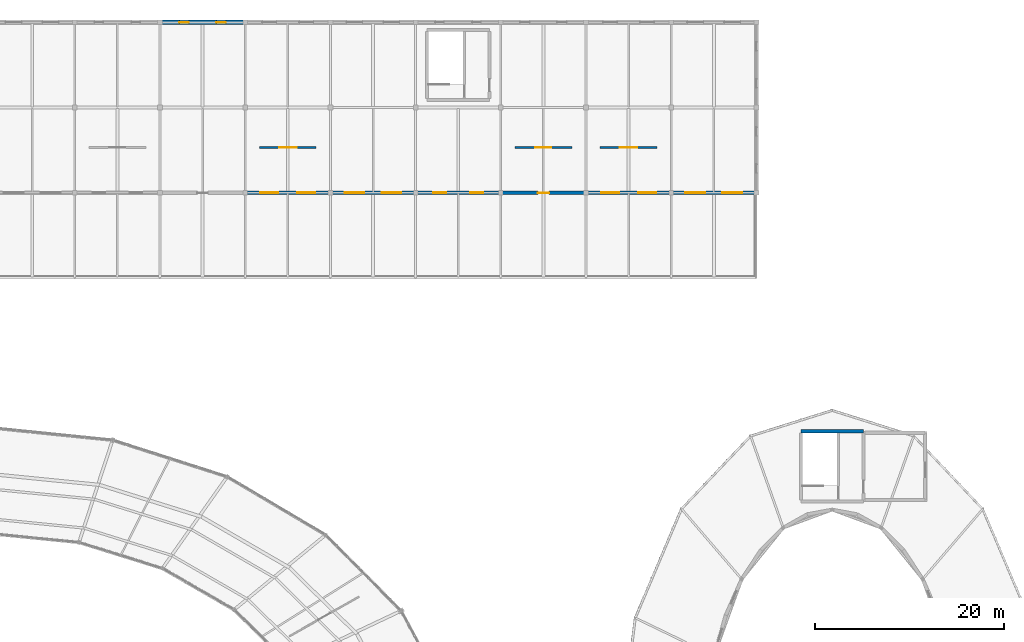
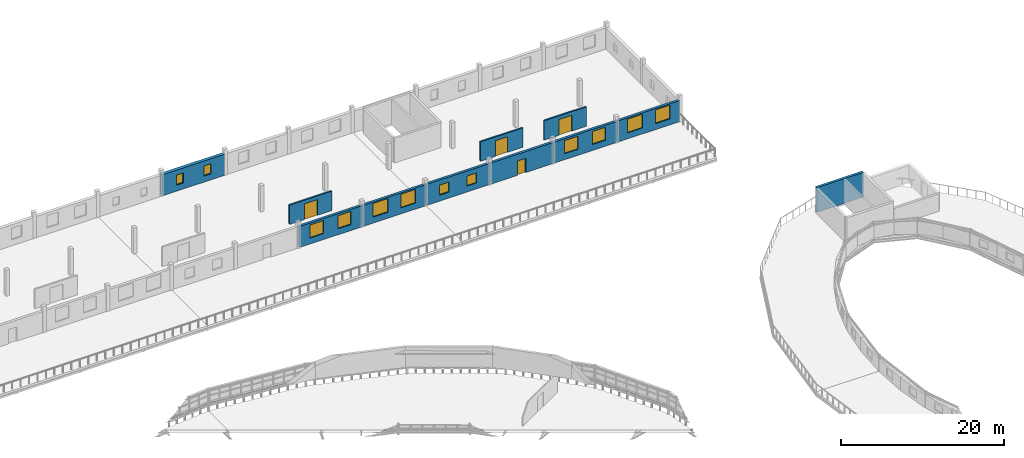
# One storey, part 111 of 123: 12 windows, 11 walls, 4 doors, 16 openings.
"""IFC4 building model written with IfcOpenShell, lengths in metres."""

from ifc_helpers import new_model, si_unit, direction, frame, frame_2d, origin, place, context, subcontext, project, spatial, rectangle, extrude, material, layer, layer_set, type_object, element, fill, save


model = new_model("IFC4")

# Units and contexts
model_context = context("Model", 3, precision=1e-05, world=origin(), true_north=direction((0.0, 1.0)))
body_context = subcontext(model_context, "Body", "Model", "MODEL_VIEW")
ifc_project = project(units=[si_unit("LENGTHUNIT", "METRE"), si_unit("AREAUNIT", "SQUARE_METRE"), si_unit("VOLUMEUNIT", "CUBIC_METRE"), si_unit("PLANEANGLEUNIT", "RADIAN"), si_unit("MASSUNIT", "GRAM", prefix="KILO")], contexts=[model_context])

# Site, building, storey
site_placement = place(None, origin())
site = spatial("IfcSite", under=ifc_project, at=site_placement, CompositionType="ELEMENT")
building_placement = place(site_placement, origin())
building = spatial("IfcBuilding", under=site, at=building_placement, Name="Kildeholm Park Wholesale Market", CompositionType="ELEMENT")
storey_placement = place(building_placement, frame((0.0, 0.0, 9.60009765625)))
storey = spatial("IfcBuildingStorey", under=building, at=storey_placement, Name="L02", CompositionType="ELEMENT", Elevation=9.60009765625)

# Wall, openings, windows
ifc_material_1 = material(Name="Precast concrete C40/50 ripening envelope wall", Category="concrete")
ifc_layer_1 = layer(ifc_material_1, 0.449951171875)
ifc_layer_set_1 = layer_set([ifc_layer_1], Name="Precast concrete C40/50 ripening envelope wall")
wall_type_1 = type_object("IfcWallType", Name="Exterior wall W-CS3 450 mm", PredefinedType="SOLIDWALL", material=ifc_layer_set_1)
wall_1_placement = place(storey_placement, frame((117.06005859375, 171.0, 0.0), z_axis=(0.0, 0.0, 1.0), x_axis=(1.0, 0.0, 0.0)))
wall_1 = element("IfcWall", 1, at=wall_1_placement, inside=storey, type_object=wall_type_1, Name="Exterior wall V4N-L02.14 WL-0370", PredefinedType="SOLIDWALL", context=body_context, shape_type="SweptSolid", body=[
    extrude(rectangle(XDim=8.8798828125, YDim=0.449951171875, at=frame_2d((4.43994140625, 0.0))), origin(), (0.0, 0.0, 1.0), 3.14990234375),
])
opening_1_placement = place(wall_1_placement, frame((1.986083984375, 0.0, 0.89990234375)))
opening_1 = element("IfcOpeningElement", 2, at=opening_1_placement, cuts=wall_1, Name="Opening WN-09", PredefinedType="OPENING", context=body_context, shape_type="SweptSolid", body=[
    extrude(rectangle(XDim=1.0, YDim=1.5, at=frame_2d((0.5, 0.75))), frame((0.0, 0.23486328125, 0.0), z_axis=(0.0, -1.0, 0.0), x_axis=(1.0, 0.0, 0.0)), (0.0, 0.0, 1.0), 0.469970703125),
])
opening_2_placement = place(wall_1_placement, frame((5.89404296875, 0.0, 0.89990234375)))
opening_2 = element("IfcOpeningElement", 3, at=opening_2_placement, cuts=wall_1, Name="Opening WN-09", PredefinedType="OPENING", context=body_context, shape_type="SweptSolid", body=[
    extrude(rectangle(XDim=1.0, YDim=1.5, at=frame_2d((0.5, 0.75))), frame((0.0, 0.23486328125, 0.0), z_axis=(0.0, -1.0, 0.0), x_axis=(1.0, 0.0, 0.0)), (0.0, 0.0, 1.0), 0.469970703125),
])
ifc_material_2 = material(Name="Thermally broken aluminium and triple-glazed low-E glass", Category="aluminium")
window_type_1 = type_object("IfcWindowType", Name="Window WN-09 1000x1500", PartitioningType="SINGLE_PANEL", PredefinedType="WINDOW", material=ifc_material_2)
window_1_placement = place(opening_1_placement, origin())
window_1 = element("IfcWindow", 4, at=window_1_placement, inside=storey, type_object=window_type_1, Name="Window V4N-L02.14.1 WIN-0167", OverallHeight=1.5, OverallWidth=1.0, PartitioningType="SINGLE_PANEL", PredefinedType="WINDOW", context=body_context, shape_type="SweptSolid", body=[
    extrude(rectangle(XDim=1.0, YDim=1.5, at=frame_2d((0.5, 0.75))), frame((0.0, 0.030029296875, 0.0), z_axis=(0.0, -1.0, 0.0), x_axis=(1.0, 0.0, 0.0)), (0.0, 0.0, 1.0), 0.06005859375),
])
fill(opening_1, window_1)
window_2_placement = place(opening_2_placement, origin())
window_2 = element("IfcWindow", 5, at=window_2_placement, inside=storey, type_object=window_type_1, Name="Window V4N-L02.14.2 WIN-0168", OverallHeight=1.5, OverallWidth=1.0, PartitioningType="SINGLE_PANEL", PredefinedType="WINDOW", context=body_context, shape_type="SweptSolid", body=[
    extrude(rectangle(XDim=1.0, YDim=1.5, at=frame_2d((0.5, 0.75))), frame((0.0, 0.030029296875, 0.0), z_axis=(0.0, -1.0, 0.0), x_axis=(1.0, 0.0, 0.0)), (0.0, 0.0, 1.0), 0.06005859375),
])
fill(opening_2, window_2)

ifc_material_3 = material(Name="Precast concrete C40/50 architectural rainscreen wall", Category="concrete")
ifc_layer_2 = layer(ifc_material_3, 0.340087890625)
ifc_layer_set_2 = layer_set([ifc_layer_2], Name="Precast concrete C40/50 architectural rainscreen wall")
wall_type_2 = type_object("IfcWallType", Name="Exterior wall W-EX4 340 mm", PredefinedType="SOLIDWALL", material=ifc_layer_set_2)
wall_2_placement = place(storey_placement, frame((126.06005859375, 153.0, 0.0), z_axis=(0.0, 0.0, 1.0), x_axis=(1.0, 0.0, 0.0)))
wall_2 = element("IfcWall", 6, at=wall_2_placement, inside=storey, type_object=wall_type_2, Name="Exterior wall V4S-L02.11 WL-0479", PredefinedType="SOLIDWALL", context=body_context, shape_type="SweptSolid", body=[
    extrude(rectangle(XDim=8.8798828125, YDim=0.340087890625, at=frame_2d((4.43994140625, 0.0))), origin(), (0.0, 0.0, 1.0), 3.14990234375),
])
opening_3_placement = place(wall_2_placement, frame((1.5458984375, 0.0, 0.89990234375)))
opening_3 = element("IfcOpeningElement", 7, at=opening_3_placement, cuts=wall_2, Name="Opening WN-39", PredefinedType="OPENING", context=body_context, shape_type="SweptSolid", body=[
    extrude(rectangle(XDim=1.8798828125, YDim=1.949951171875, at=frame_2d((0.93994140625, 0.97509765625))), frame((0.0, 0.179931640625, 0.0), z_axis=(0.0, -1.0, 0.0), x_axis=(1.0, 0.0, 0.0)), (0.0, 0.0, 1.0), 0.360107421875),
])
opening_4_placement = place(wall_2_placement, frame((5.4541015625, 0.0, 0.89990234375)))
opening_4 = element("IfcOpeningElement", 8, at=opening_4_placement, cuts=wall_2, Name="Opening WN-39", PredefinedType="OPENING", context=body_context, shape_type="SweptSolid", body=[
    extrude(rectangle(XDim=1.8798828125, YDim=1.949951171875, at=frame_2d((0.93994140625, 0.97509765625))), frame((0.0, 0.179931640625, 0.0), z_axis=(0.0, -1.0, 0.0), x_axis=(1.0, 0.0, 0.0)), (0.0, 0.0, 1.0), 0.360107421875),
])
window_type_2 = type_object("IfcWindowType", Name="Window WN-39 1880x1950", PartitioningType="DOUBLE_PANEL_VERTICAL", PredefinedType="WINDOW", material=ifc_material_2)
window_3_placement = place(opening_3_placement, origin())
window_3 = element("IfcWindow", 9, at=window_3_placement, inside=storey, type_object=window_type_2, Name="Window V4S-L02.11.1 WIN-0279", OverallHeight=1.949951171875, OverallWidth=1.8798828125, PartitioningType="SINGLE_PANEL", PredefinedType="WINDOW", context=body_context, shape_type="SweptSolid", body=[
    extrude(rectangle(XDim=1.8798828125, YDim=1.949951171875, at=frame_2d((0.93994140625, 0.97509765625))), frame((0.0, 0.030029296875, 0.0), z_axis=(0.0, -1.0, 0.0), x_axis=(1.0, 0.0, 0.0)), (0.0, 0.0, 1.0), 0.06005859375),
])
fill(opening_3, window_3)
window_4_placement = place(opening_4_placement, origin())
window_4 = element("IfcWindow", 10, at=window_4_placement, inside=storey, type_object=window_type_2, Name="Window V4S-L02.11.2 WIN-0280", OverallHeight=1.949951171875, OverallWidth=1.8798828125, PartitioningType="SINGLE_PANEL", PredefinedType="WINDOW", context=body_context, shape_type="SweptSolid", body=[
    extrude(rectangle(XDim=1.8798828125, YDim=1.949951171875, at=frame_2d((0.93994140625, 0.97509765625))), frame((0.0, 0.030029296875, 0.0), z_axis=(0.0, -1.0, 0.0), x_axis=(1.0, 0.0, 0.0)), (0.0, 0.0, 1.0), 0.06005859375),
])
fill(opening_4, window_4)

wall_3_placement = place(storey_placement, frame((135.06005859375, 153.0, 0.0), z_axis=(0.0, 0.0, 1.0), x_axis=(1.0, 0.0, 0.0)))
wall_3 = element("IfcWall", 11, at=wall_3_placement, inside=storey, type_object=wall_type_2, Name="Exterior wall V4S-L02.12 WL-0480", PredefinedType="SOLIDWALL", context=body_context, shape_type="SweptSolid", body=[
    extrude(rectangle(XDim=8.8798828125, YDim=0.340087890625, at=frame_2d((4.43994140625, 0.0))), origin(), (0.0, 0.0, 1.0), 3.14990234375),
])
opening_5_placement = place(wall_3_placement, frame((1.446044921875, 0.0, 0.89990234375)))
opening_5 = element("IfcOpeningElement", 12, at=opening_5_placement, cuts=wall_3, Name="Opening WN-40", PredefinedType="OPENING", context=body_context, shape_type="SweptSolid", body=[
    extrude(rectangle(XDim=2.080078125, YDim=2.050048828125, at=frame_2d((1.0400390625, 1.02490234375))), frame((0.0, 0.179931640625, 0.0), z_axis=(0.0, -1.0, 0.0), x_axis=(1.0, 0.0, 0.0)), (0.0, 0.0, 1.0), 0.360107421875),
])
opening_6_placement = place(wall_3_placement, frame((5.35400390625, 0.0, 0.89990234375)))
opening_6 = element("IfcOpeningElement", 13, at=opening_6_placement, cuts=wall_3, Name="Opening WN-40", PredefinedType="OPENING", context=body_context, shape_type="SweptSolid", body=[
    extrude(rectangle(XDim=2.080078125, YDim=2.050048828125, at=frame_2d((1.0400390625, 1.02490234375))), frame((0.0, 0.179931640625, 0.0), z_axis=(0.0, -1.0, 0.0), x_axis=(1.0, 0.0, 0.0)), (0.0, 0.0, 1.0), 0.360107421875),
])
window_type_3 = type_object("IfcWindowType", Name="Window WN-40 2080x2050", PartitioningType="TRIPLE_PANEL_VERTICAL", PredefinedType="WINDOW", material=ifc_material_2)
window_5_placement = place(opening_5_placement, origin())
window_5 = element("IfcWindow", 14, at=window_5_placement, inside=storey, type_object=window_type_3, Name="Window V4S-L02.12.1 WIN-0281", OverallHeight=2.050048828125, OverallWidth=2.080078125, PartitioningType="SINGLE_PANEL", PredefinedType="WINDOW", context=body_context, shape_type="SweptSolid", body=[
    extrude(rectangle(XDim=2.080078125, YDim=2.050048828125, at=frame_2d((1.0400390625, 1.02490234375))), frame((0.0, 0.030029296875, 0.0), z_axis=(0.0, -1.0, 0.0), x_axis=(1.0, 0.0, 0.0)), (0.0, 0.0, 1.0), 0.06005859375),
])
fill(opening_5, window_5)
window_6_placement = place(opening_6_placement, origin())
window_6 = element("IfcWindow", 15, at=window_6_placement, inside=storey, type_object=window_type_3, Name="Window V4S-L02.12.2 WIN-0282", OverallHeight=2.050048828125, OverallWidth=2.080078125, PartitioningType="SINGLE_PANEL", PredefinedType="WINDOW", context=body_context, shape_type="SweptSolid", body=[
    extrude(rectangle(XDim=2.080078125, YDim=2.050048828125, at=frame_2d((1.0400390625, 1.02490234375))), frame((0.0, 0.030029296875, 0.0), z_axis=(0.0, -1.0, 0.0), x_axis=(1.0, 0.0, 0.0)), (0.0, 0.0, 1.0), 0.06005859375),
])
fill(opening_6, window_6)

wall_4_placement = place(storey_placement, frame((144.06005859375, 153.0, 0.0), z_axis=(0.0, 0.0, 1.0), x_axis=(1.0, 0.0, 0.0)))
wall_4 = element("IfcWall", 16, at=wall_4_placement, inside=storey, type_object=wall_type_2, Name="Exterior wall V4S-L02.13 WL-0481", PredefinedType="SOLIDWALL", context=body_context, shape_type="SweptSolid", body=[
    extrude(rectangle(XDim=8.8798828125, YDim=0.340087890625, at=frame_2d((4.43994140625, 0.0))), origin(), (0.0, 0.0, 1.0), 3.14990234375),
])
opening_7_placement = place(wall_4_placement, frame((1.81103515625, 0.0, 0.89990234375)))
opening_7 = element("IfcOpeningElement", 17, at=opening_7_placement, cuts=wall_4, Name="Opening WN-10", PredefinedType="OPENING", context=body_context, shape_type="SweptSolid", body=[
    extrude(rectangle(XDim=1.35009765625, YDim=1.5, at=frame_2d((0.675048828125, 0.75))), frame((0.0, 0.179931640625, 0.0), z_axis=(0.0, -1.0, 0.0), x_axis=(1.0, 0.0, 0.0)), (0.0, 0.0, 1.0), 0.360107421875),
])
opening_8_placement = place(wall_4_placement, frame((5.718994140625, 0.0, 0.89990234375)))
opening_8 = element("IfcOpeningElement", 18, at=opening_8_placement, cuts=wall_4, Name="Opening WN-10", PredefinedType="OPENING", context=body_context, shape_type="SweptSolid", body=[
    extrude(rectangle(XDim=1.35009765625, YDim=1.5, at=frame_2d((0.675048828125, 0.75))), frame((0.0, 0.179931640625, 0.0), z_axis=(0.0, -1.0, 0.0), x_axis=(1.0, 0.0, 0.0)), (0.0, 0.0, 1.0), 0.360107421875),
])
window_type_4 = type_object("IfcWindowType", Name="Window WN-10 1350x1500", PartitioningType="SINGLE_PANEL", PredefinedType="WINDOW", material=ifc_material_2)
window_7_placement = place(opening_7_placement, origin())
window_7 = element("IfcWindow", 19, at=window_7_placement, inside=storey, type_object=window_type_4, Name="Window V4S-L02.13.1 WIN-0283", OverallHeight=1.5, OverallWidth=1.35009765625, PartitioningType="SINGLE_PANEL", PredefinedType="WINDOW", context=body_context, shape_type="SweptSolid", body=[
    extrude(rectangle(XDim=1.35009765625, YDim=1.5, at=frame_2d((0.675048828125, 0.75))), frame((0.0, 0.030029296875, 0.0), z_axis=(0.0, -1.0, 0.0), x_axis=(1.0, 0.0, 0.0)), (0.0, 0.0, 1.0), 0.06005859375),
])
fill(opening_7, window_7)
window_8_placement = place(opening_8_placement, origin())
window_8 = element("IfcWindow", 20, at=window_8_placement, inside=storey, type_object=window_type_4, Name="Window V4S-L02.13.2 WIN-0284", OverallHeight=1.5, OverallWidth=1.35009765625, PartitioningType="SINGLE_PANEL", PredefinedType="WINDOW", context=body_context, shape_type="SweptSolid", body=[
    extrude(rectangle(XDim=1.35009765625, YDim=1.5, at=frame_2d((0.675048828125, 0.75))), frame((0.0, 0.030029296875, 0.0), z_axis=(0.0, -1.0, 0.0), x_axis=(1.0, 0.0, 0.0)), (0.0, 0.0, 1.0), 0.06005859375),
])
fill(opening_8, window_8)

# Wall, opening, door
wall_5_placement = place(storey_placement, frame((153.06005859375, 153.0, 0.0), z_axis=(0.0, 0.0, 1.0), x_axis=(1.0, 0.0, 0.0)))
wall_5 = element("IfcWall", 21, at=wall_5_placement, inside=storey, type_object=wall_type_2, Name="Exterior wall V4S-L02.14 WL-0482", PredefinedType="SOLIDWALL", context=body_context, shape_type="SweptSolid", body=[
    extrude(rectangle(XDim=8.8798828125, YDim=0.340087890625, at=frame_2d((4.43994140625, 0.0))), origin(), (0.0, 0.0, 1.0), 3.14990234375),
])
opening_9_placement = place(wall_5_placement, frame((3.840087890625, 0.0, 0.0)))
opening_9 = element("IfcOpeningElement", 22, at=opening_9_placement, cuts=wall_5, Name="Opening D-EX11", PredefinedType="OPENING", context=body_context, shape_type="SweptSolid", body=[
    extrude(rectangle(XDim=1.199951171875, YDim=2.14990234375, at=frame_2d((0.60009765625, 1.074951171875))), frame((0.0, 0.179931640625, 0.0), z_axis=(0.0, -1.0, 0.0), x_axis=(1.0, 0.0, 0.0)), (0.0, 0.0, 1.0), 0.360107421875),
])
ifc_material_4 = material(Name="Anodised aluminium terrace leaf door", Category="aluminium")
door_type_1 = type_object("IfcDoorType", Name="Exterior door D-EX11 1200x2150", OperationType="NOTDEFINED", PredefinedType="DOOR", material=ifc_material_4)
door_1_placement = place(opening_9_placement, frame((1.199951171875, 0.0, 0.0), z_axis=(0.0, 0.0, 1.0), x_axis=(-1.0, 0.0, 0.0)))
door_1 = element("IfcDoor", 23, at=door_1_placement, inside=storey, type_object=door_type_1, Name="Door V4S-L02.14 DR-0047 WL-0482", OperationType="SINGLE_SWING_LEFT", OverallHeight=2.14990234375, OverallWidth=1.199951171875, PredefinedType="DOOR", context=body_context, shape_type="SweptSolid", body=[
    extrude(rectangle(XDim=1.199951171875, YDim=2.14990234375, at=frame_2d((0.60009765625, 1.074951171875))), frame((0.0, 0.02490234375, 0.0), z_axis=(0.0, -1.0, 0.0), x_axis=(1.0, 0.0, 0.0)), (0.0, 0.0, 1.0), 0.050048828125),
])
fill(opening_9, door_1)

# Wall, openings, windows
wall_6_placement = place(storey_placement, frame((162.06005859375, 153.0, 0.0), z_axis=(0.0, 0.0, 1.0), x_axis=(1.0, 0.0, 0.0)))
wall_6 = element("IfcWall", 24, at=wall_6_placement, inside=storey, type_object=wall_type_2, Name="Exterior wall V4S-L02.15 WL-0483", PredefinedType="SOLIDWALL", context=body_context, shape_type="SweptSolid", body=[
    extrude(rectangle(XDim=8.8798828125, YDim=0.340087890625, at=frame_2d((4.43994140625, 0.0))), origin(), (0.0, 0.0, 1.0), 3.14990234375),
])
opening_10_placement = place(wall_6_placement, frame((1.5458984375, 0.0, 0.89990234375)))
opening_10 = element("IfcOpeningElement", 25, at=opening_10_placement, cuts=wall_6, Name="Opening WN-39", PredefinedType="OPENING", context=body_context, shape_type="SweptSolid", body=[
    extrude(rectangle(XDim=1.8798828125, YDim=1.949951171875, at=frame_2d((0.93994140625, 0.97509765625))), frame((0.0, 0.179931640625, 0.0), z_axis=(0.0, -1.0, 0.0), x_axis=(1.0, 0.0, 0.0)), (0.0, 0.0, 1.0), 0.360107421875),
])
opening_11_placement = place(wall_6_placement, frame((5.4541015625, 0.0, 0.89990234375)))
opening_11 = element("IfcOpeningElement", 26, at=opening_11_placement, cuts=wall_6, Name="Opening WN-39", PredefinedType="OPENING", context=body_context, shape_type="SweptSolid", body=[
    extrude(rectangle(XDim=1.8798828125, YDim=1.949951171875, at=frame_2d((0.93994140625, 0.97509765625))), frame((0.0, 0.179931640625, 0.0), z_axis=(0.0, -1.0, 0.0), x_axis=(1.0, 0.0, 0.0)), (0.0, 0.0, 1.0), 0.360107421875),
])
window_9_placement = place(opening_10_placement, origin())
window_9 = element("IfcWindow", 27, at=window_9_placement, inside=storey, type_object=window_type_2, Name="Window V4S-L02.15.1 WIN-0285", OverallHeight=1.949951171875, OverallWidth=1.8798828125, PartitioningType="SINGLE_PANEL", PredefinedType="WINDOW", context=body_context, shape_type="SweptSolid", body=[
    extrude(rectangle(XDim=1.8798828125, YDim=1.949951171875, at=frame_2d((0.93994140625, 0.97509765625))), frame((0.0, 0.030029296875, 0.0), z_axis=(0.0, -1.0, 0.0), x_axis=(1.0, 0.0, 0.0)), (0.0, 0.0, 1.0), 0.06005859375),
])
fill(opening_10, window_9)
window_10_placement = place(opening_11_placement, origin())
window_10 = element("IfcWindow", 28, at=window_10_placement, inside=storey, type_object=window_type_2, Name="Window V4S-L02.15.2 WIN-0286", OverallHeight=1.949951171875, OverallWidth=1.8798828125, PartitioningType="SINGLE_PANEL", PredefinedType="WINDOW", context=body_context, shape_type="SweptSolid", body=[
    extrude(rectangle(XDim=1.8798828125, YDim=1.949951171875, at=frame_2d((0.93994140625, 0.97509765625))), frame((0.0, 0.030029296875, 0.0), z_axis=(0.0, -1.0, 0.0), x_axis=(1.0, 0.0, 0.0)), (0.0, 0.0, 1.0), 0.06005859375),
])
fill(opening_11, window_10)

wall_7_placement = place(storey_placement, frame((171.06005859375, 153.0, 0.0), z_axis=(0.0, 0.0, 1.0), x_axis=(1.0, 0.0, 0.0)))
wall_7 = element("IfcWall", 29, at=wall_7_placement, inside=storey, type_object=wall_type_2, Name="Exterior wall V4S-L02.16 WL-0484", PredefinedType="SOLIDWALL", context=body_context, shape_type="SweptSolid", body=[
    extrude(rectangle(XDim=8.8798828125, YDim=0.340087890625, at=frame_2d((4.43994140625, 0.0))), origin(), (0.0, 0.0, 1.0), 3.14990234375),
])
opening_12_placement = place(wall_7_placement, frame((1.446044921875, 0.0, 0.89990234375)))
opening_12 = element("IfcOpeningElement", 30, at=opening_12_placement, cuts=wall_7, Name="Opening WN-40", PredefinedType="OPENING", context=body_context, shape_type="SweptSolid", body=[
    extrude(rectangle(XDim=2.080078125, YDim=2.050048828125, at=frame_2d((1.0400390625, 1.02490234375))), frame((0.0, 0.179931640625, 0.0), z_axis=(0.0, -1.0, 0.0), x_axis=(1.0, 0.0, 0.0)), (0.0, 0.0, 1.0), 0.360107421875),
])
opening_13_placement = place(wall_7_placement, frame((5.35400390625, 0.0, 0.89990234375)))
opening_13 = element("IfcOpeningElement", 31, at=opening_13_placement, cuts=wall_7, Name="Opening WN-40", PredefinedType="OPENING", context=body_context, shape_type="SweptSolid", body=[
    extrude(rectangle(XDim=2.080078125, YDim=2.050048828125, at=frame_2d((1.0400390625, 1.02490234375))), frame((0.0, 0.179931640625, 0.0), z_axis=(0.0, -1.0, 0.0), x_axis=(1.0, 0.0, 0.0)), (0.0, 0.0, 1.0), 0.360107421875),
])
window_11_placement = place(opening_12_placement, origin())
window_11 = element("IfcWindow", 32, at=window_11_placement, inside=storey, type_object=window_type_3, Name="Window V4S-L02.16.1 WIN-0287", OverallHeight=2.050048828125, OverallWidth=2.080078125, PartitioningType="SINGLE_PANEL", PredefinedType="WINDOW", context=body_context, shape_type="SweptSolid", body=[
    extrude(rectangle(XDim=2.080078125, YDim=2.050048828125, at=frame_2d((1.0400390625, 1.02490234375))), frame((0.0, 0.030029296875, 0.0), z_axis=(0.0, -1.0, 0.0), x_axis=(1.0, 0.0, 0.0)), (0.0, 0.0, 1.0), 0.06005859375),
])
fill(opening_12, window_11)
window_12_placement = place(opening_13_placement, origin())
window_12 = element("IfcWindow", 33, at=window_12_placement, inside=storey, type_object=window_type_3, Name="Window V4S-L02.16.2 WIN-0288", OverallHeight=2.050048828125, OverallWidth=2.080078125, PartitioningType="SINGLE_PANEL", PredefinedType="WINDOW", context=body_context, shape_type="SweptSolid", body=[
    extrude(rectangle(XDim=2.080078125, YDim=2.050048828125, at=frame_2d((1.0400390625, 1.02490234375))), frame((0.0, 0.030029296875, 0.0), z_axis=(0.0, -1.0, 0.0), x_axis=(1.0, 0.0, 0.0)), (0.0, 0.0, 1.0), 0.06005859375),
])
fill(opening_13, window_12)

# Wall, opening, door
ifc_material_5 = material(Name="Insulated ripening chamber airtight partition")
ifc_layer_3 = layer(ifc_material_5, 0.215087890625)
ifc_layer_set_3 = layer_set([ifc_layer_3], Name="Insulated ripening chamber airtight partition")
wall_type_3 = type_object("IfcWallType", Name="Partition W-PT08 215 mm", PredefinedType="PARTITIONING", material=ifc_layer_set_3)
wall_8_placement = place(storey_placement, frame((127.5, 157.800048828125, 0.0), z_axis=(0.0, 0.0, 1.0), x_axis=(1.0, 0.0, 0.0)))
wall_8 = element("IfcWall", 34, at=wall_8_placement, inside=storey, type_object=wall_type_3, Name="Interior partition W-V4-L02-RPS06 WL-0996", PredefinedType="PARTITIONING", context=body_context, shape_type="SweptSolid", body=[
    extrude(rectangle(XDim=6.0, YDim=0.215087890625, at=frame_2d((3.0, 0.0))), origin(), (0.0, 0.0, 1.0), 2.89990234375),
])
opening_14_placement = place(wall_8_placement, frame((2.074951171875, 0.0, 0.0)))
opening_14 = element("IfcOpeningElement", 35, at=opening_14_placement, cuts=wall_8, Name="Opening D-RP02", PredefinedType="OPENING", context=body_context, shape_type="SweptSolid", body=[
    extrude(rectangle(XDim=1.85009765625, YDim=2.35009765625, at=frame_2d((0.925048828125, 1.175048828125))), frame((0.0, 0.117431640625, 0.0), z_axis=(0.0, -1.0, 0.0), x_axis=(1.0, 0.0, 0.0)), (0.0, 0.0, 1.0), 0.235107421875),
])
ifc_material_6 = material(Name="Airtight ethylene ripening chamber doorset")
door_type_2 = type_object("IfcDoorType", Name="Interior door D-RP02 1850x2350", OperationType="NOTDEFINED", PredefinedType="DOOR", material=ifc_material_6)
door_2_placement = place(opening_14_placement, origin())
door_2 = element("IfcDoor", 36, at=door_2_placement, inside=storey, type_object=door_type_2, Name="Interior door V4-L02-RPS06 DR-0271 WL-0996", OperationType="SINGLE_SWING_LEFT", OverallHeight=2.35009765625, OverallWidth=1.85009765625, PredefinedType="DOOR", context=body_context, shape_type="SweptSolid", body=[
    extrude(rectangle(XDim=1.85009765625, YDim=2.35009765625, at=frame_2d((0.925048828125, 1.175048828125))), frame((0.0, 0.02490234375, 0.0), z_axis=(0.0, -1.0, 0.0), x_axis=(1.0, 0.0, 0.0)), (0.0, 0.0, 1.0), 0.050048828125),
])
fill(opening_14, door_2)

wall_9_placement = place(storey_placement, frame((154.5, 157.800048828125, 0.0), z_axis=(0.0, 0.0, 1.0), x_axis=(1.0, 0.0, 0.0)))
wall_9 = element("IfcWall", 37, at=wall_9_placement, inside=storey, type_object=wall_type_3, Name="Interior partition W-V4-L02-RPS07 WL-0997", PredefinedType="PARTITIONING", context=body_context, shape_type="SweptSolid", body=[
    extrude(rectangle(XDim=6.0, YDim=0.215087890625, at=frame_2d((3.0, 0.0))), origin(), (0.0, 0.0, 1.0), 2.89990234375),
])
opening_15_placement = place(wall_9_placement, frame((2.14990234375, 0.0, 0.0)))
opening_15 = element("IfcOpeningElement", 38, at=opening_15_placement, cuts=wall_9, Name="Opening D-RP01", PredefinedType="OPENING", context=body_context, shape_type="SweptSolid", body=[
    extrude(rectangle(XDim=1.699951171875, YDim=2.35009765625, at=frame_2d((0.85009765625, 1.175048828125))), frame((0.0, 0.117431640625, 0.0), z_axis=(0.0, -1.0, 0.0), x_axis=(1.0, 0.0, 0.0)), (0.0, 0.0, 1.0), 0.235107421875),
])
ifc_material_7 = material(Name="Airtight insulated ripening chamber doorset")
door_type_3 = type_object("IfcDoorType", Name="Interior door D-RP01 1700x2350", OperationType="NOTDEFINED", PredefinedType="DOOR", material=ifc_material_7)
door_3_placement = place(opening_15_placement, origin())
door_3 = element("IfcDoor", 39, at=door_3_placement, inside=storey, type_object=door_type_3, Name="Interior door V4-L02-RPS07 DR-0272 WL-0997", OperationType="SINGLE_SWING_RIGHT", OverallHeight=2.35009765625, OverallWidth=1.699951171875, PredefinedType="DOOR", context=body_context, shape_type="SweptSolid", body=[
    extrude(rectangle(XDim=1.699951171875, YDim=2.35009765625, at=frame_2d((0.85009765625, 1.175048828125))), frame((0.0, 0.02490234375, 0.0), z_axis=(0.0, -1.0, 0.0), x_axis=(1.0, 0.0, 0.0)), (0.0, 0.0, 1.0), 0.050048828125),
])
fill(opening_15, door_3)

wall_10_placement = place(storey_placement, frame((163.5, 157.800048828125, 0.0), z_axis=(0.0, 0.0, 1.0), x_axis=(1.0, 0.0, 0.0)))
wall_10 = element("IfcWall", 40, at=wall_10_placement, inside=storey, type_object=wall_type_3, Name="Interior partition W-V4-L02-RPS08 WL-0998", PredefinedType="PARTITIONING", context=body_context, shape_type="SweptSolid", body=[
    extrude(rectangle(XDim=6.0, YDim=0.215087890625, at=frame_2d((3.0, 0.0))), origin(), (0.0, 0.0, 1.0), 2.89990234375),
])
opening_16_placement = place(wall_10_placement, frame((2.074951171875, 0.0, 0.0)))
opening_16 = element("IfcOpeningElement", 41, at=opening_16_placement, cuts=wall_10, Name="Opening D-RP02", PredefinedType="OPENING", context=body_context, shape_type="SweptSolid", body=[
    extrude(rectangle(XDim=1.85009765625, YDim=2.35009765625, at=frame_2d((0.925048828125, 1.175048828125))), frame((0.0, 0.117431640625, 0.0), z_axis=(0.0, -1.0, 0.0), x_axis=(1.0, 0.0, 0.0)), (0.0, 0.0, 1.0), 0.235107421875),
])
door_4_placement = place(opening_16_placement, origin())
door_4 = element("IfcDoor", 42, at=door_4_placement, inside=storey, type_object=door_type_2, Name="Interior door V4-L02-RPS08 DR-0273 WL-0998", OperationType="SINGLE_SWING_LEFT", OverallHeight=2.35009765625, OverallWidth=1.85009765625, PredefinedType="DOOR", context=body_context, shape_type="SweptSolid", body=[
    extrude(rectangle(XDim=1.85009765625, YDim=2.35009765625, at=frame_2d((0.925048828125, 1.175048828125))), frame((0.0, 0.02490234375, 0.0), z_axis=(0.0, -1.0, 0.0), x_axis=(1.0, 0.0, 0.0)), (0.0, 0.0, 1.0), 0.050048828125),
])
fill(opening_16, door_4)

# Wall
ifc_material_8 = material(Name="Concrete C40/50", Category="concrete")
ifc_layer_4 = layer(ifc_material_8, 0.35009765625)
ifc_layer_set_4 = layer_set([ifc_layer_4], Name="Concrete C40/50")
wall_type_4 = type_object("IfcWallType", Name="Shear wall W-SH3 350 mm", PredefinedType="SHEAR", material=ifc_layer_set_4)
wall_11_placement = place(storey_placement, frame((184.699951171875, 127.800048828125, 0.0), z_axis=(0.0, 0.0, 1.0), x_axis=(1.0, 0.0, 0.0)))
element("IfcWall", 43, at=wall_11_placement, inside=storey, type_object=wall_type_4, Name="Core C13 north shear wall L02 WL-0887", PredefinedType="SHEAR", context=body_context, shape_type="SweptSolid", body=[
    extrude(rectangle(XDim=6.60009765625, YDim=0.35009765625, at=frame_2d((3.300048828125, 0.0))), origin(), (0.0, 0.0, 1.0), 3.699951171875),
])

save(model, "model.ifc")
